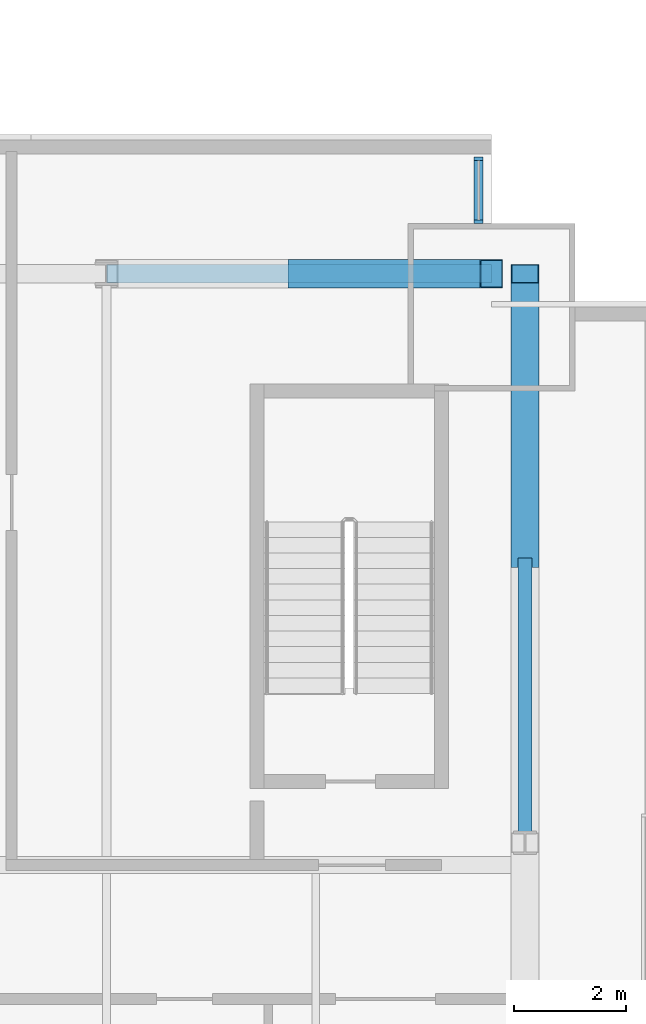
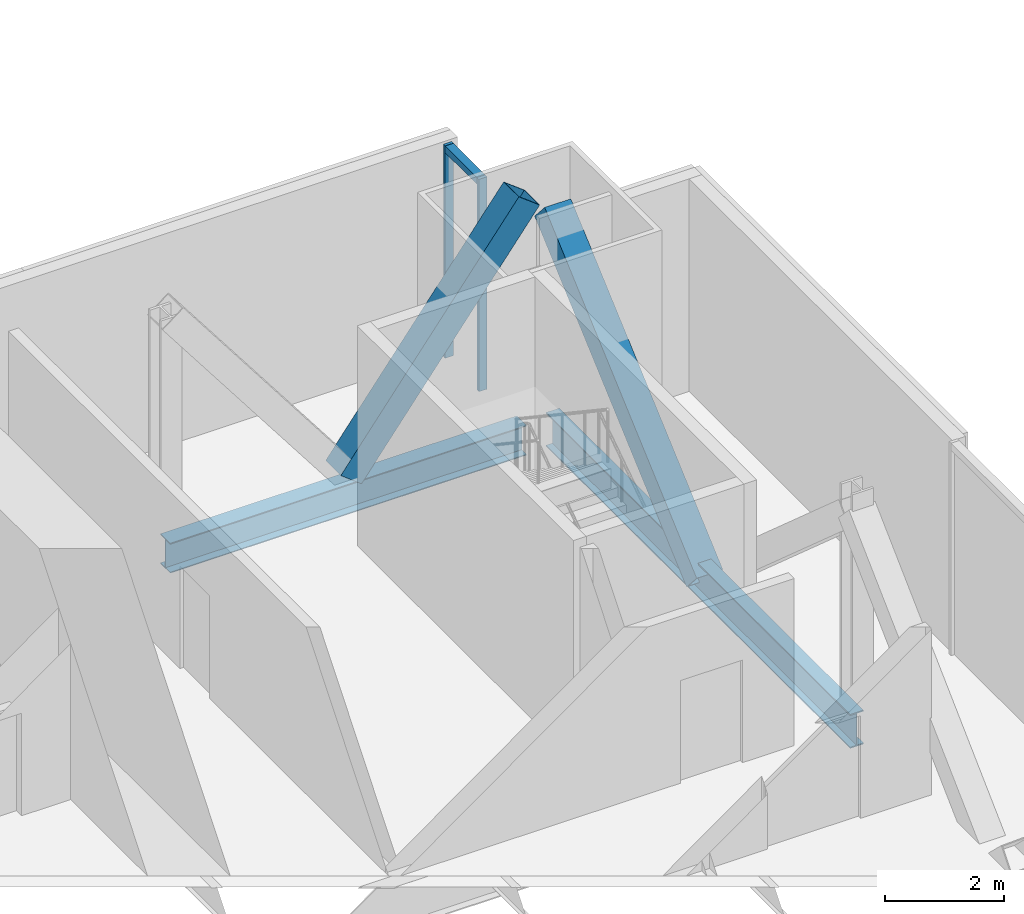
# One storey, part 15 of 23: 5 members, 2 beams, 1 element without a shape of its own.
"""IFC4 building model written with IfcOpenShell, lengths in metres."""

from ifc_helpers import new_model, si_unit, direction, frame, origin, origin_2d, place, context, subcontext, project, spatial, rectangle, hollow_rectangle, i_section, extrude, material, material_profile, profile_set, type_object, element, aggregate, save


model = new_model("IFC4")

# Units and contexts
model_context = context("Model", 3, precision=1e-05, world=origin(), true_north=direction((0.0, 1.0)))
body_context = subcontext(model_context, "Body", "Model", "MODEL_VIEW")
ifc_project = project(units=[si_unit("LENGTHUNIT", "METRE"), si_unit("AREAUNIT", "SQUARE_METRE"), si_unit("VOLUMEUNIT", "CUBIC_METRE"), si_unit("PLANEANGLEUNIT", "RADIAN"), si_unit("MASSUNIT", "GRAM", prefix="KILO")], contexts=[model_context])

# Site, building, storey
site_placement = place(None, origin())
site = spatial("IfcSite", under=ifc_project, at=site_placement, CompositionType="ELEMENT")
building_placement = place(site_placement, origin())
building = spatial("IfcBuilding", under=site, at=building_placement, Name="Bicima Exchange Tower", CompositionType="ELEMENT")
storey_placement = place(building_placement, frame((0.0, 0.0, 53.0)))
storey = spatial("IfcBuildingStorey", under=building, at=storey_placement, Name="L10", CompositionType="ELEMENT", Elevation=53.0)

# Beam
ifc_material_1 = material(Name="Steel ASTM A992 Gr 50", Category="steel")
ifc_material_profile_1 = material_profile(ifc_material_1, i_section(OverallWidth=0.256591796875, OverallDepth=0.693359375, WebThickness=0.014404296875, FlangeThickness=0.023681640625, at=origin_2d()))
ifc_profile_set_1 = profile_set([ifc_material_profile_1], Name="Steel ASTM A992 Gr 50")
beam_type_1 = type_object("IfcBeamType", Name="End girder W27x114", PredefinedType="BEAM", material=ifc_profile_set_1)
beam_1_placement = place(storey_placement, frame((33.60009765625, -2.39990234375, -0.49658203125), z_axis=(0.0, -1.0, 0.0), x_axis=(1.0, 0.0, 0.0)))
element("IfcBeam", 1, at=beam_1_placement, inside=storey, type_object=beam_type_1, Name="End girder", PredefinedType="BEAM", context=body_context, shape_type="SweptSolid", body=[
    extrude(i_section(OverallWidth=0.256591796875, OverallDepth=0.693359375, WebThickness=0.014404296875, FlangeThickness=0.023681640625, at=origin_2d()), origin(), (0.0, 0.0, 1.0), 10.2001953125),
])

# Curtain wall, members
ifc_material_2 = material(Name="Anodised bronze aluminium", Category="aluminium")
curtain_wall_type = type_object("IfcCurtainWallType", Name="Front glass wall", PredefinedType="NOTDEFINED", material=ifc_material_2)
curtain_wall_placement = place(storey_placement, origin())
curtain_wall = element("IfcCurtainWall", 2, at=curtain_wall_placement, inside=storey, type_object=curtain_wall_type, Name="Front glass wall L10 run 20", PredefinedType="NOTDEFINED")
ifc_material_profile_2 = material_profile(ifc_material_2, rectangle(XDim=0.159912109375, YDim=0.06005859375, at=origin_2d()))
ifc_profile_set_2 = profile_set([ifc_material_profile_2], Name="Anodised bronze aluminium")
member_type_1 = type_object("IfcMemberType", Name="Front glass wall mullion 60 x 160", PredefinedType="MULLION", material=ifc_profile_set_2)
member_1_placement = place(storey_placement, frame((32.77001953125, -1.469970703125, 0.0), z_axis=(0.0, 0.0, 1.0), x_axis=(-1.0, 0.0, 0.0)))
member_1 = element("IfcMember", 3, at=member_1_placement, type_object=member_type_1, Name="Front glass wall mullion 1", PredefinedType="MULLION", context=body_context, shape_type="SweptSolid", body=[
    extrude(rectangle(XDim=0.159912109375, YDim=0.06005859375, at=origin_2d()), origin(), (0.0, 0.0, 1.0), 4.35009765625),
])
member_2_placement = place(storey_placement, frame((32.77001953125, -0.340087890625, 0.0), z_axis=(0.0, 0.0, 1.0), x_axis=(-1.0, 0.0, 0.0)))
member_2 = element("IfcMember", 4, at=member_2_placement, type_object=member_type_1, Name="Front glass wall mullion 2", PredefinedType="MULLION", context=body_context, shape_type="SweptSolid", body=[
    extrude(rectangle(XDim=0.159912109375, YDim=0.06005859375, at=origin_2d()), origin(), (0.0, 0.0, 1.0), 4.35009765625),
])
ifc_material_profile_3 = material_profile(ifc_material_2, rectangle(XDim=0.159912109375, YDim=0.139892578125, at=origin_2d()))
ifc_profile_set_3 = profile_set([ifc_material_profile_3], Name="Anodised bronze aluminium")
member_type_2 = type_object("IfcMemberType", Name="Front glass wall transom 140 x 160", PredefinedType="USERDEFINED", material=ifc_profile_set_3)
member_3_placement = place(storey_placement, frame((32.77001953125, -1.43994140625, 4.280029296875), z_axis=(0.0, 1.0, 0.0), x_axis=(-1.0, 0.0, 0.0)))
member_3 = element("IfcMember", 5, at=member_3_placement, type_object=member_type_2, Name="Front glass wall transom 1.1", ObjectType="TRANSOM", PredefinedType="USERDEFINED", context=body_context, shape_type="SweptSolid", body=[
    extrude(rectangle(XDim=0.159912109375, YDim=0.139892578125, at=origin_2d()), origin(), (0.0, 0.0, 1.0), 1.06982421875),
])
aggregate(curtain_wall, [member_1, member_2, member_3])

# Members
ifc_material_3 = material(Name="Steel ASTM A572 Gr 50", Category="steel")
ifc_material_profile_4 = material_profile(ifc_material_3, hollow_rectangle(XDim=0.508056640625, YDim=0.508056640625, WallThickness=0.017822265625, at=origin_2d()))
ifc_profile_set_4 = profile_set([ifc_material_profile_4], Name="Steel ASTM A572 Gr 50")
member_type_3 = type_object("IfcMemberType", Name="Mega brace HSS20x20x3/4", PredefinedType="BRACE", material=ifc_profile_set_4)
member_4_placement = place(storey_placement, frame((29.550048828125, -2.39990234375, 0.0), z_axis=(0.608426120198, 0.0, 0.793610519248), x_axis=(0.0, 1.0, 0.0)))
element("IfcMember", 6, at=member_4_placement, inside=storey, type_object=member_type_3, Name="Mega brace rear", PredefinedType="BRACE", context=body_context, shape_type="SweptSolid", body=[
    extrude(hollow_rectangle(XDim=0.508056640625, YDim=0.508056640625, WallThickness=0.017822265625, at=origin_2d()), origin(), (0.0, 0.0, 1.0), 5.670166015625),
])
member_5_placement = place(storey_placement, frame((33.60009765625, -7.5, -0.49658203125), z_axis=(0.0, 0.749844140428, 0.661614513948), x_axis=(-1.0, 0.0, 0.0)))
element("IfcMember", 7, at=member_5_placement, inside=storey, type_object=member_type_3, Name="Mega brace east end", PredefinedType="BRACE", context=body_context, shape_type="SweptSolid", body=[
    extrude(hollow_rectangle(XDim=0.508056640625, YDim=0.508056640625, WallThickness=0.017822265625, at=origin_2d()), origin(), (0.0, 0.0, 1.0), 6.801513671875),
])

# Beam
ifc_material_profile_5 = material_profile(ifc_material_1, i_section(OverallWidth=0.3251953125, OverallDepth=0.612060546875, WebThickness=0.0126953125, FlangeThickness=0.01904296875, at=origin_2d()))
ifc_profile_set_5 = profile_set([ifc_material_profile_5], Name="Steel ASTM A992 Gr 50")
beam_type_2 = type_object("IfcBeamType", Name="Rear girder W24x104", PredefinedType="BEAM", material=ifc_profile_set_5)
beam_2_placement = place(storey_placement, frame((26.10009765625, -2.39990234375, -0.4560546875), z_axis=(1.0, 0.0, 0.0), x_axis=(0.0, 1.0, 0.0)))
element("IfcBeam", 8, at=beam_2_placement, inside=storey, type_object=beam_type_2, Name="Rear girder", PredefinedType="BEAM", context=body_context, shape_type="SweptSolid", body=[
    extrude(i_section(OverallWidth=0.3251953125, OverallDepth=0.612060546875, WebThickness=0.0126953125, FlangeThickness=0.01904296875, at=origin_2d()), origin(), (0.0, 0.0, 1.0), 6.89990234375),
])

save(model, "model.ifc")
